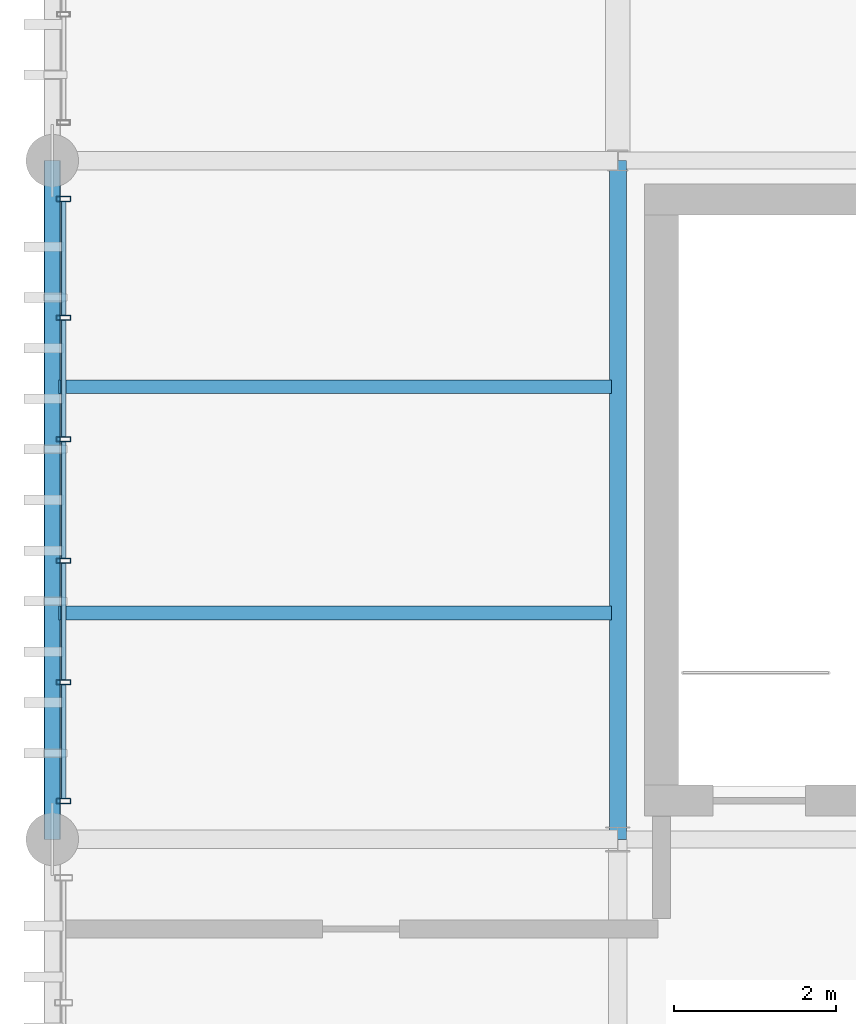
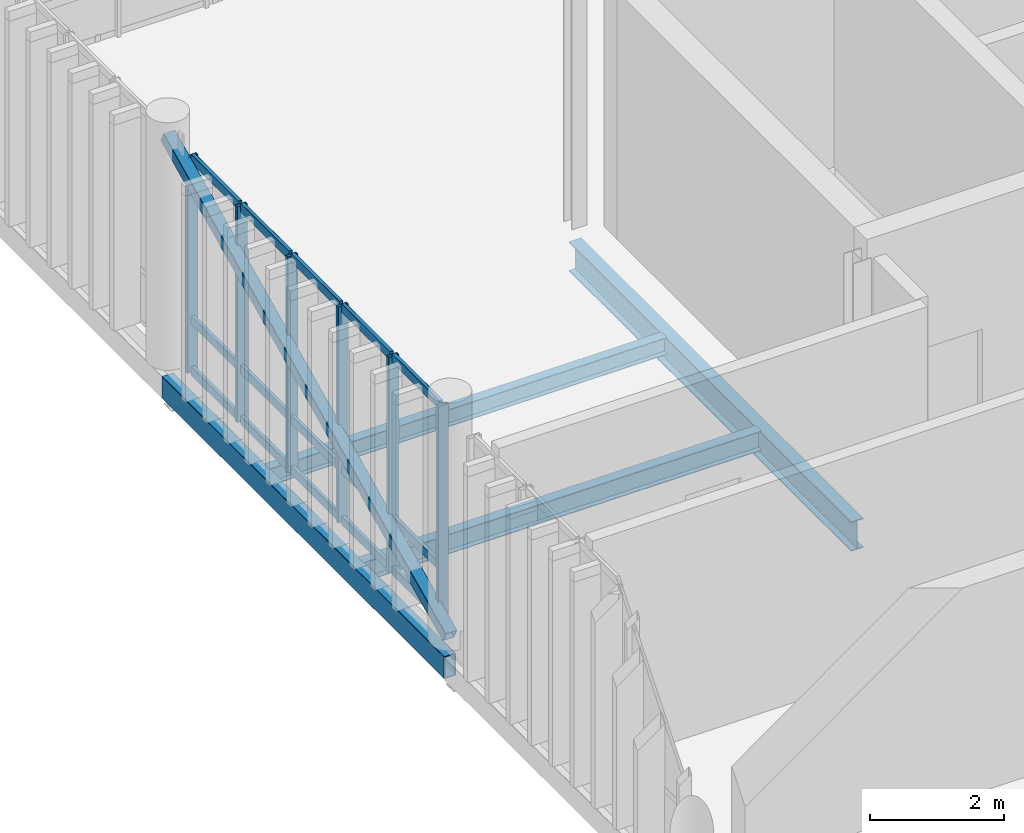
# One storey, part 9 of 66: 22 members, 4 beams, 1 element without a shape of its own.
"""IFC4 building model written with IfcOpenShell, lengths in metres."""

from ifc_helpers import new_model, si_unit, direction, frame, origin_with_axes, origin_2d_with_axis, place, context, subcontext, project, spatial, hollow_rectangle, i_section, extrude, material, material_profile, profile_set, type_object, element, aggregate, save


model = new_model("IFC4")

# Units and contexts
model_context = context("Model", 3, precision=1e-05, world=origin_with_axes(), true_north=direction((0.0, 1.0)))
body_context = subcontext(model_context, "Body", "Model", "MODEL_VIEW")
ifc_project = project(units=[si_unit("LENGTHUNIT", "METRE"), si_unit("AREAUNIT", "SQUARE_METRE"), si_unit("VOLUMEUNIT", "CUBIC_METRE"), si_unit("PLANEANGLEUNIT", "RADIAN"), si_unit("MASSUNIT", "GRAM", prefix="KILO"), si_unit("THERMODYNAMICTEMPERATUREUNIT", "KELVIN")], contexts=[model_context])

# Site, building, storey
site_placement = place(None, origin_with_axes())
site = spatial("IfcSite", under=ifc_project, at=site_placement, CompositionType="ELEMENT")
building_placement = place(site_placement, origin_with_axes())
building = spatial("IfcBuilding", under=site, at=building_placement, Name="Montbau Bow Law Courts", CompositionType="ELEMENT")
storey_placement = place(building_placement, frame((0.0, 0.0, 34.5), z_axis=(0.0, 0.0, 1.0), x_axis=(1.0, 0.0, 0.0)))
storey = spatial("IfcBuildingStorey", under=building, at=storey_placement, Name="L07", CompositionType="ELEMENT", Elevation=34.5)

# Beams
ifc_material_1 = material(Name="Steel CSA G40.21 Grade 350W (350 MPa)", Category="steel")
ifc_material_profile_1 = material_profile(ifc_material_1, i_section(OverallWidth=0.21, OverallDepth=0.537, WebThickness=0.0109, FlangeThickness=0.0174, at=origin_2d_with_axis()), Name="W530X101", Category="Main", Priority=0)
ifc_profile_set_1 = profile_set([ifc_material_profile_1], Name="Steel CSA G40.21 Grade 350W (350 MPa)")
beam_type_1 = type_object("IfcBeamType", Name="B-FLR-06", PredefinedType="BEAM", material=ifc_profile_set_1)
beam_1_placement = place(None, frame((13.8, 46.2, 33.931), z_axis=(0.0, 1.0, 0.0), x_axis=(-1.0, 0.0, 0.0)))
element("IfcBeam", 1, at=beam_1_placement, inside=storey, type_object=beam_type_1, Name="BM-L07-S0743:bm2_0746", PredefinedType="BEAM", context=body_context, shape_type="SweptSolid", body=[
    extrude(i_section(OverallWidth=0.21, OverallDepth=0.537, WebThickness=0.0109, FlangeThickness=0.0174, at=origin_2d_with_axis()), origin_with_axes(), (0.0, 0.0, 1.0), 8.4),
])
ifc_material_profile_2 = material_profile(ifc_material_1, i_section(OverallWidth=0.172, OverallDepth=0.358, WebThickness=0.0079, FlangeThickness=0.0131, at=origin_2d_with_axis()), Name="W360X57", Category="Main", Priority=0)
ifc_profile_set_2 = profile_set([ifc_material_profile_2], Name="Steel CSA G40.21 Grade 350W (350 MPa)")
beam_type_2 = type_object("IfcBeamType", Name="B-JST-03", PredefinedType="JOIST", material=ifc_profile_set_2)
beam_2_placement = place(None, frame((6.88, 49.0, 34.021), z_axis=(1.0, 0.0, 0.0), x_axis=(0.0, 1.0, 0.0)))
element("IfcBeam", 2, at=beam_2_placement, inside=storey, type_object=beam_type_2, Name="JST-L07-S0362:jst2_0362", PredefinedType="JOIST", context=body_context, shape_type="SweptSolid", body=[
    extrude(i_section(OverallWidth=0.172, OverallDepth=0.358, WebThickness=0.0079, FlangeThickness=0.0131, at=origin_2d_with_axis()), origin_with_axes(), (0.0, 0.0, 1.0), 6.839),
])
ifc_material_profile_3 = material_profile(ifc_material_1, i_section(OverallWidth=0.166, OverallDepth=0.313, WebThickness=0.0066, FlangeThickness=0.0112, at=origin_2d_with_axis()), Name="W310X45", Category="Main", Priority=0)
ifc_profile_set_3 = profile_set([ifc_material_profile_3], Name="Steel CSA G40.21 Grade 350W (350 MPa)")
beam_type_3 = type_object("IfcBeamType", Name="B-JST-04", PredefinedType="JOIST", material=ifc_profile_set_3)
beam_3_placement = place(None, frame((6.88, 51.8, 34.044), z_axis=(1.0, 0.0, 0.0), x_axis=(0.0, 1.0, 0.0)))
element("IfcBeam", 3, at=beam_3_placement, inside=storey, type_object=beam_type_3, Name="JST-L07-S0363:jst2_0363", PredefinedType="JOIST", context=body_context, shape_type="SweptSolid", body=[
    extrude(i_section(OverallWidth=0.166, OverallDepth=0.313, WebThickness=0.0066, FlangeThickness=0.0112, at=origin_2d_with_axis()), origin_with_axes(), (0.0, 0.0, 1.0), 6.839),
])
ifc_material_2 = material(Name="Steel CSA G40.21 Grade 350WT (350 MPa)", Category="steel")
ifc_material_profile_4 = material_profile(ifc_material_2, hollow_rectangle(XDim=0.203, YDim=0.406, WallThickness=0.0127, InnerFilletRadius=0.0254, OuterFilletRadius=0.0127, at=origin_2d_with_axis()), Name="HSS406X203X13", Category="Main", Priority=0)
ifc_profile_set_4 = profile_set([ifc_material_profile_4], Name="Steel CSA G40.21 Grade 350WT (350 MPa)")
beam_type_4 = type_object("IfcBeamType", Name="B-SPN-01", PredefinedType="SPANDREL", material=ifc_profile_set_4)
beam_4_placement = place(None, frame((6.8, 46.2, 33.997), z_axis=(0.0, 1.0, 0.0), x_axis=(-1.0, 0.0, 0.0)))
element("IfcBeam", 4, at=beam_4_placement, inside=storey, type_object=beam_type_4, Name="SPN-L07-S0740:bm2_0743", PredefinedType="SPANDREL", context=body_context, shape_type="SweptSolid", body=[
    extrude(hollow_rectangle(XDim=0.203, YDim=0.406, WallThickness=0.0127, InnerFilletRadius=0.0254, OuterFilletRadius=0.0127, at=origin_2d_with_axis()), origin_with_axes(), (0.0, 0.0, 1.0), 8.4),
])

# Member
ifc_material_profile_5 = material_profile(ifc_material_1, hollow_rectangle(XDim=0.203, YDim=0.203, WallThickness=0.0111, InnerFilletRadius=0.0222, OuterFilletRadius=0.0111, at=origin_2d_with_axis()), Name="HSS203X203X11", Category="Main", Priority=0)
ifc_profile_set_5 = profile_set([ifc_material_profile_5], Name="Steel CSA G40.21 Grade 350W (350 MPa)")
member_type_1 = type_object("IfcMemberType", Name="M-BRC-02", PredefinedType="BRACE", material=ifc_profile_set_5)
member_1_placement = place(None, frame((6.8, 46.2, 34.55), z_axis=(0.0, 0.902985663, 0.429670678), x_axis=(-1.0, 0.0, 0.0)))
element("IfcMember", 5, at=member_1_placement, inside=storey, type_object=member_type_1, Name="Diagonal brace CBF-L07-044A", PredefinedType="BRACE", context=body_context, shape_type="SweptSolid", body=[
    extrude(hollow_rectangle(XDim=0.203, YDim=0.203, WallThickness=0.0111, InnerFilletRadius=0.0222, OuterFilletRadius=0.0111, at=origin_2d_with_axis()), origin_with_axes(), (0.0, 0.0, 1.0), 9.302473),
])

# Curtain wall, members
ifc_material_3 = material(Name="Thermally Broken Extruded Aluminium AA 6063-T6", Category="aluminium")
curtain_wall_type = type_object("IfcCurtainWallType", Name="CW-TRC-02", PredefinedType="NOTDEFINED", material=ifc_material_3)
curtain_wall_placement = place(None, frame((6.94, 46.64, 34.5), z_axis=(0.0, 0.0, 1.0), x_axis=(1.0, 0.0, 0.0)))
curtain_wall = element("IfcCurtainWall", 6, at=curtain_wall_placement, inside=storey, type_object=curtain_wall_type, Name="CW-L07-118:cw_0118", PredefinedType="NOTDEFINED")
ifc_material_profile_6 = material_profile(ifc_material_3, hollow_rectangle(XDim=0.065, YDim=0.18, WallThickness=0.005, InnerFilletRadius=0.01, OuterFilletRadius=0.005, at=origin_2d_with_axis()), Name="CWM-180X65", Category="Main", Priority=0)
ifc_profile_set_6 = profile_set([ifc_material_profile_6], Name="Thermally Broken Extruded Aluminium AA 6063-T6")
member_type_2 = type_object("IfcMemberType", Name="M-MUL-02", PredefinedType="MULLION", material=ifc_profile_set_6)
member_2_placement = place(None, frame((6.94, 46.673, 34.5), z_axis=(0.0, 0.0, 1.0), x_axis=(0.0, 1.0, 0.0)))
member_2 = element("IfcMember", 7, at=member_2_placement, type_object=member_type_2, Name="CW-L07-118-M01:cw_0118_M01", PredefinedType="MULLION", context=body_context, shape_type="SweptSolid", body=[
    extrude(hollow_rectangle(XDim=0.065, YDim=0.18, WallThickness=0.005, InnerFilletRadius=0.01, OuterFilletRadius=0.005, at=origin_2d_with_axis()), origin_with_axes(), (0.0, 0.0, 1.0), 3.92),
])
member_3_placement = place(None, frame((6.94, 48.144, 34.5), z_axis=(0.0, 0.0, 1.0), x_axis=(0.0, 1.0, 0.0)))
member_3 = element("IfcMember", 8, at=member_3_placement, type_object=member_type_2, Name="CW-L07-118-M02:cw_0118_M02", PredefinedType="MULLION", context=body_context, shape_type="SweptSolid", body=[
    extrude(hollow_rectangle(XDim=0.065, YDim=0.18, WallThickness=0.005, InnerFilletRadius=0.01, OuterFilletRadius=0.005, at=origin_2d_with_axis()), origin_with_axes(), (0.0, 0.0, 1.0), 3.92),
])
member_4_placement = place(None, frame((6.94, 49.648, 34.5), z_axis=(0.0, 0.0, 1.0), x_axis=(0.0, 1.0, 0.0)))
member_4 = element("IfcMember", 9, at=member_4_placement, type_object=member_type_2, Name="CW-L07-118-M03:cw_0118_M03", PredefinedType="MULLION", context=body_context, shape_type="SweptSolid", body=[
    extrude(hollow_rectangle(XDim=0.065, YDim=0.18, WallThickness=0.005, InnerFilletRadius=0.01, OuterFilletRadius=0.005, at=origin_2d_with_axis()), origin_with_axes(), (0.0, 0.0, 1.0), 3.92),
])
member_5_placement = place(None, frame((6.94, 51.152, 34.5), z_axis=(0.0, 0.0, 1.0), x_axis=(0.0, 1.0, 0.0)))
member_5 = element("IfcMember", 10, at=member_5_placement, type_object=member_type_2, Name="CW-L07-118-M04:cw_0118_M04", PredefinedType="MULLION", context=body_context, shape_type="SweptSolid", body=[
    extrude(hollow_rectangle(XDim=0.065, YDim=0.18, WallThickness=0.005, InnerFilletRadius=0.01, OuterFilletRadius=0.005, at=origin_2d_with_axis()), origin_with_axes(), (0.0, 0.0, 1.0), 3.92),
])
member_6_placement = place(None, frame((6.94, 52.656, 34.5), z_axis=(0.0, 0.0, 1.0), x_axis=(0.0, 1.0, 0.0)))
member_6 = element("IfcMember", 11, at=member_6_placement, type_object=member_type_2, Name="CW-L07-118-M05:cw_0118_M05", PredefinedType="MULLION", context=body_context, shape_type="SweptSolid", body=[
    extrude(hollow_rectangle(XDim=0.065, YDim=0.18, WallThickness=0.005, InnerFilletRadius=0.01, OuterFilletRadius=0.005, at=origin_2d_with_axis()), origin_with_axes(), (0.0, 0.0, 1.0), 3.92),
])
member_7_placement = place(None, frame((6.94, 54.127, 34.5), z_axis=(0.0, 0.0, 1.0), x_axis=(0.0, 1.0, 0.0)))
member_7 = element("IfcMember", 12, at=member_7_placement, type_object=member_type_2, Name="CW-L07-118-M06:cw_0118_M06", PredefinedType="MULLION", context=body_context, shape_type="SweptSolid", body=[
    extrude(hollow_rectangle(XDim=0.065, YDim=0.18, WallThickness=0.005, InnerFilletRadius=0.01, OuterFilletRadius=0.005, at=origin_2d_with_axis()), origin_with_axes(), (0.0, 0.0, 1.0), 3.92),
])
ifc_material_profile_7 = material_profile(ifc_material_3, hollow_rectangle(XDim=0.06, YDim=0.16, WallThickness=0.004, InnerFilletRadius=0.008, OuterFilletRadius=0.004, at=origin_2d_with_axis()), Name="CWT-160X60", Category="Main", Priority=0)
ifc_profile_set_7 = profile_set([ifc_material_profile_7], Name="Thermally Broken Extruded Aluminium AA 6063-T6")
member_type_3 = type_object("IfcMemberType", Name="M-TRN-01", PredefinedType="USERDEFINED", material=ifc_profile_set_7)
member_8_placement = place(None, frame((6.94, 46.708, 34.53), z_axis=(0.0, 1.0, 0.0), x_axis=(-1.0, 0.0, 0.0)))
member_8 = element("IfcMember", 13, at=member_8_placement, type_object=member_type_3, Name="CW-L07-118-T01-1:cw_0118_T01_1", ObjectType="TRANSOM", PredefinedType="USERDEFINED", context=body_context, shape_type="SweptSolid", body=[
    extrude(hollow_rectangle(XDim=0.06, YDim=0.16, WallThickness=0.004, InnerFilletRadius=0.008, OuterFilletRadius=0.004, at=origin_2d_with_axis()), origin_with_axes(), (0.0, 0.0, 1.0), 1.402),
])
member_9_placement = place(None, frame((6.94, 46.708, 35.45), z_axis=(0.0, 1.0, 0.0), x_axis=(-1.0, 0.0, 0.0)))
member_9 = element("IfcMember", 14, at=member_9_placement, type_object=member_type_3, Name="CW-L07-118-T01-2:cw_0118_T01_2", ObjectType="TRANSOM", PredefinedType="USERDEFINED", context=body_context, shape_type="SweptSolid", body=[
    extrude(hollow_rectangle(XDim=0.06, YDim=0.16, WallThickness=0.004, InnerFilletRadius=0.008, OuterFilletRadius=0.004, at=origin_2d_with_axis()), origin_with_axes(), (0.0, 0.0, 1.0), 1.402),
])
member_10_placement = place(None, frame((6.94, 46.708, 38.39), z_axis=(0.0, 1.0, 0.0), x_axis=(-1.0, 0.0, 0.0)))
member_10 = element("IfcMember", 15, at=member_10_placement, type_object=member_type_3, Name="CW-L07-118-T01-3:cw_0118_T01_3", ObjectType="TRANSOM", PredefinedType="USERDEFINED", context=body_context, shape_type="SweptSolid", body=[
    extrude(hollow_rectangle(XDim=0.06, YDim=0.16, WallThickness=0.004, InnerFilletRadius=0.008, OuterFilletRadius=0.004, at=origin_2d_with_axis()), origin_with_axes(), (0.0, 0.0, 1.0), 1.402),
])
member_11_placement = place(None, frame((6.94, 48.178, 34.53), z_axis=(0.0, 1.0, 0.0), x_axis=(-1.0, 0.0, 0.0)))
member_11 = element("IfcMember", 16, at=member_11_placement, type_object=member_type_3, Name="CW-L07-118-T02-1:cw_0118_T02_1", ObjectType="TRANSOM", PredefinedType="USERDEFINED", context=body_context, shape_type="SweptSolid", body=[
    extrude(hollow_rectangle(XDim=0.06, YDim=0.16, WallThickness=0.004, InnerFilletRadius=0.008, OuterFilletRadius=0.004, at=origin_2d_with_axis()), origin_with_axes(), (0.0, 0.0, 1.0), 1.436),
])
member_12_placement = place(None, frame((6.94, 48.178, 35.45), z_axis=(0.0, 1.0, 0.0), x_axis=(-1.0, 0.0, 0.0)))
member_12 = element("IfcMember", 17, at=member_12_placement, type_object=member_type_3, Name="CW-L07-118-T02-2:cw_0118_T02_2", ObjectType="TRANSOM", PredefinedType="USERDEFINED", context=body_context, shape_type="SweptSolid", body=[
    extrude(hollow_rectangle(XDim=0.06, YDim=0.16, WallThickness=0.004, InnerFilletRadius=0.008, OuterFilletRadius=0.004, at=origin_2d_with_axis()), origin_with_axes(), (0.0, 0.0, 1.0), 1.436),
])
member_13_placement = place(None, frame((6.94, 48.178, 38.39), z_axis=(0.0, 1.0, 0.0), x_axis=(-1.0, 0.0, 0.0)))
member_13 = element("IfcMember", 18, at=member_13_placement, type_object=member_type_3, Name="CW-L07-118-T02-3:cw_0118_T02_3", ObjectType="TRANSOM", PredefinedType="USERDEFINED", context=body_context, shape_type="SweptSolid", body=[
    extrude(hollow_rectangle(XDim=0.06, YDim=0.16, WallThickness=0.004, InnerFilletRadius=0.008, OuterFilletRadius=0.004, at=origin_2d_with_axis()), origin_with_axes(), (0.0, 0.0, 1.0), 1.436),
])
member_14_placement = place(None, frame((6.94, 49.682, 34.53), z_axis=(0.0, 1.0, 0.0), x_axis=(-1.0, 0.0, 0.0)))
member_14 = element("IfcMember", 19, at=member_14_placement, type_object=member_type_3, Name="CW-L07-118-T03-1:cw_0118_T03_1", ObjectType="TRANSOM", PredefinedType="USERDEFINED", context=body_context, shape_type="SweptSolid", body=[
    extrude(hollow_rectangle(XDim=0.06, YDim=0.16, WallThickness=0.004, InnerFilletRadius=0.008, OuterFilletRadius=0.004, at=origin_2d_with_axis()), origin_with_axes(), (0.0, 0.0, 1.0), 1.436),
])
member_15_placement = place(None, frame((6.94, 49.682, 35.45), z_axis=(0.0, 1.0, 0.0), x_axis=(-1.0, 0.0, 0.0)))
member_15 = element("IfcMember", 20, at=member_15_placement, type_object=member_type_3, Name="CW-L07-118-T03-2:cw_0118_T03_2", ObjectType="TRANSOM", PredefinedType="USERDEFINED", context=body_context, shape_type="SweptSolid", body=[
    extrude(hollow_rectangle(XDim=0.06, YDim=0.16, WallThickness=0.004, InnerFilletRadius=0.008, OuterFilletRadius=0.004, at=origin_2d_with_axis()), origin_with_axes(), (0.0, 0.0, 1.0), 1.436),
])
member_16_placement = place(None, frame((6.94, 49.682, 38.39), z_axis=(0.0, 1.0, 0.0), x_axis=(-1.0, 0.0, 0.0)))
member_16 = element("IfcMember", 21, at=member_16_placement, type_object=member_type_3, Name="CW-L07-118-T03-3:cw_0118_T03_3", ObjectType="TRANSOM", PredefinedType="USERDEFINED", context=body_context, shape_type="SweptSolid", body=[
    extrude(hollow_rectangle(XDim=0.06, YDim=0.16, WallThickness=0.004, InnerFilletRadius=0.008, OuterFilletRadius=0.004, at=origin_2d_with_axis()), origin_with_axes(), (0.0, 0.0, 1.0), 1.436),
])
member_17_placement = place(None, frame((6.94, 51.186, 34.53), z_axis=(0.0, 1.0, 0.0), x_axis=(-1.0, 0.0, 0.0)))
member_17 = element("IfcMember", 22, at=member_17_placement, type_object=member_type_3, Name="CW-L07-118-T04-1:cw_0118_T04_1", ObjectType="TRANSOM", PredefinedType="USERDEFINED", context=body_context, shape_type="SweptSolid", body=[
    extrude(hollow_rectangle(XDim=0.06, YDim=0.16, WallThickness=0.004, InnerFilletRadius=0.008, OuterFilletRadius=0.004, at=origin_2d_with_axis()), origin_with_axes(), (0.0, 0.0, 1.0), 1.436),
])
member_18_placement = place(None, frame((6.94, 51.186, 35.45), z_axis=(0.0, 1.0, 0.0), x_axis=(-1.0, 0.0, 0.0)))
member_18 = element("IfcMember", 23, at=member_18_placement, type_object=member_type_3, Name="CW-L07-118-T04-2:cw_0118_T04_2", ObjectType="TRANSOM", PredefinedType="USERDEFINED", context=body_context, shape_type="SweptSolid", body=[
    extrude(hollow_rectangle(XDim=0.06, YDim=0.16, WallThickness=0.004, InnerFilletRadius=0.008, OuterFilletRadius=0.004, at=origin_2d_with_axis()), origin_with_axes(), (0.0, 0.0, 1.0), 1.436),
])
member_19_placement = place(None, frame((6.94, 51.186, 38.39), z_axis=(0.0, 1.0, 0.0), x_axis=(-1.0, 0.0, 0.0)))
member_19 = element("IfcMember", 24, at=member_19_placement, type_object=member_type_3, Name="CW-L07-118-T04-3:cw_0118_T04_3", ObjectType="TRANSOM", PredefinedType="USERDEFINED", context=body_context, shape_type="SweptSolid", body=[
    extrude(hollow_rectangle(XDim=0.06, YDim=0.16, WallThickness=0.004, InnerFilletRadius=0.008, OuterFilletRadius=0.004, at=origin_2d_with_axis()), origin_with_axes(), (0.0, 0.0, 1.0), 1.436),
])
member_20_placement = place(None, frame((6.94, 52.69, 34.53), z_axis=(0.0, 1.0, 0.0), x_axis=(-1.0, 0.0, 0.0)))
member_20 = element("IfcMember", 25, at=member_20_placement, type_object=member_type_3, Name="CW-L07-118-T05-1:cw_0118_T05_1", ObjectType="TRANSOM", PredefinedType="USERDEFINED", context=body_context, shape_type="SweptSolid", body=[
    extrude(hollow_rectangle(XDim=0.06, YDim=0.16, WallThickness=0.004, InnerFilletRadius=0.008, OuterFilletRadius=0.004, at=origin_2d_with_axis()), origin_with_axes(), (0.0, 0.0, 1.0), 1.403),
])
member_21_placement = place(None, frame((6.94, 52.69, 35.45), z_axis=(0.0, 1.0, 0.0), x_axis=(-1.0, 0.0, 0.0)))
member_21 = element("IfcMember", 26, at=member_21_placement, type_object=member_type_3, Name="CW-L07-118-T05-2:cw_0118_T05_2", ObjectType="TRANSOM", PredefinedType="USERDEFINED", context=body_context, shape_type="SweptSolid", body=[
    extrude(hollow_rectangle(XDim=0.06, YDim=0.16, WallThickness=0.004, InnerFilletRadius=0.008, OuterFilletRadius=0.004, at=origin_2d_with_axis()), origin_with_axes(), (0.0, 0.0, 1.0), 1.403),
])
member_22_placement = place(None, frame((6.94, 52.69, 38.39), z_axis=(0.0, 1.0, 0.0), x_axis=(-1.0, 0.0, 0.0)))
member_22 = element("IfcMember", 27, at=member_22_placement, type_object=member_type_3, Name="CW-L07-118-T05-3:cw_0118_T05_3", ObjectType="TRANSOM", PredefinedType="USERDEFINED", context=body_context, shape_type="SweptSolid", body=[
    extrude(hollow_rectangle(XDim=0.06, YDim=0.16, WallThickness=0.004, InnerFilletRadius=0.008, OuterFilletRadius=0.004, at=origin_2d_with_axis()), origin_with_axes(), (0.0, 0.0, 1.0), 1.403),
])
aggregate(curtain_wall, [member_2, member_3, member_4, member_5, member_6, member_7, member_8, member_9, member_10, member_11, member_12, member_13, member_14, member_15, member_16, member_17, member_18, member_19, member_20, member_21, member_22])

save(model, "model.ifc")
